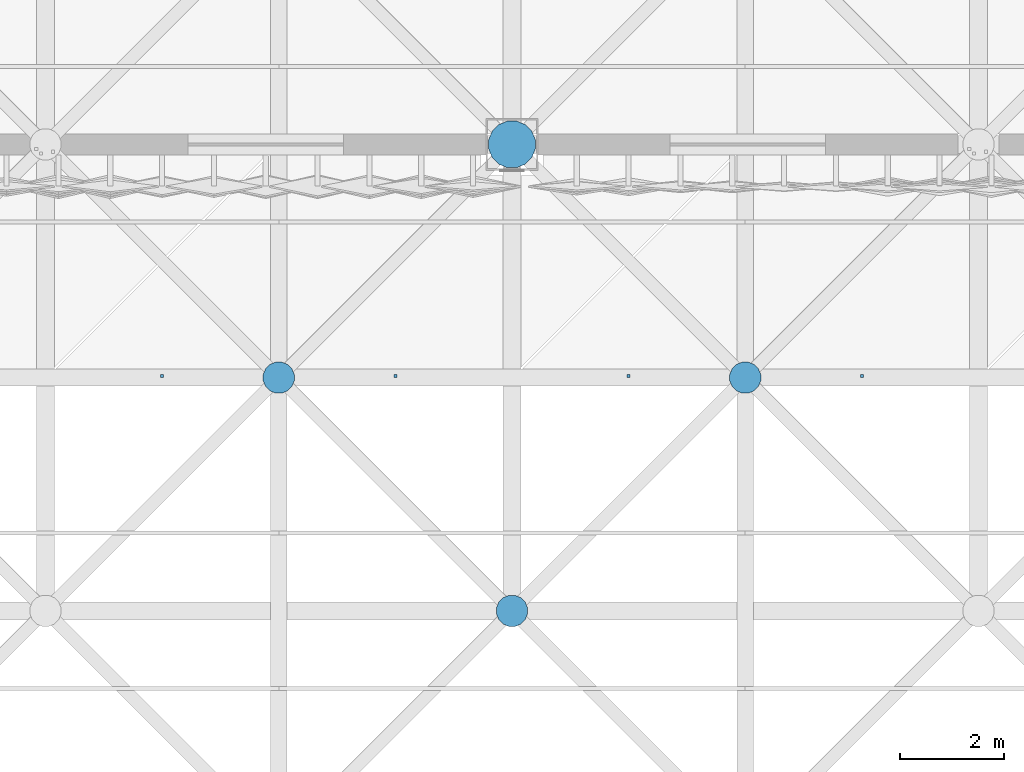
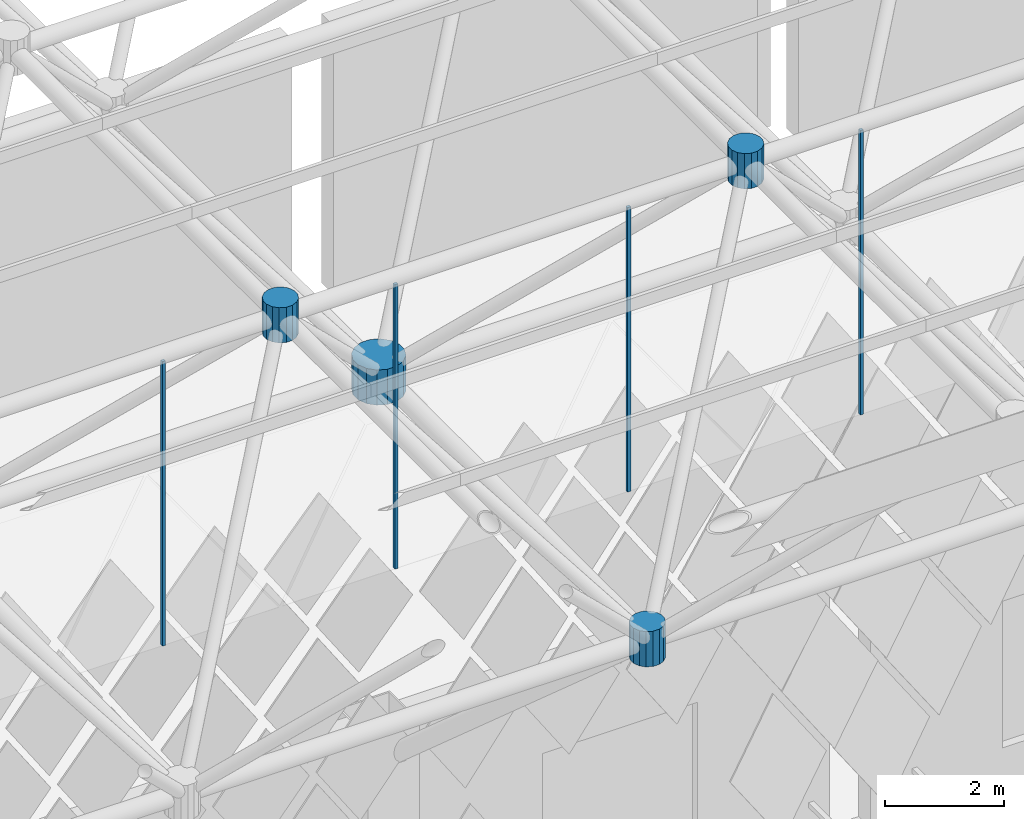
# One storey, part 301 of 437: 8 discrete accessories.
"""IFC4 building model written with IfcOpenShell, lengths in metres."""

import ifcopenshell
import ifcopenshell.guid

model = None  # the IFC model being written
_history = None  # IfcOwnerHistory: only IFC2X3 demands one
_inside = {}  # id of a spatial element -> (the spatial element, [elements in it])
_under = {}  # id of a project, library or spatial element -> (it, [spatial elements below it])
_declared = {}  # id of a project -> (the project, [libraries it declares])
_typed = {}  # id of a type object -> (the type object, [elements of that type])
_made_of = {}  # id of a material, layer set ... -> (it, [elements and type objects made of it])


def new_model(schema):
    """Start an empty IFC model of exactly this schema.

    Asked for "IFC4X3", IfcOpenShell would pick the latest addendum, in which some entities
    have other attributes; the version numbers below select the first issue.
    IFC2X3 requires an IfcOwnerHistory on every rooted entity: one is made here for all.
    """
    global model, _history
    if schema == "IFC4X3":
        model = ifcopenshell.file(schema_version=(4, 3, 0, 0))
    else:
        model = ifcopenshell.file(schema=schema)
    _inside.clear()
    _under.clear()
    _declared.clear()
    _typed.clear()
    _made_of.clear()
    _history = None
    if model.schema == "IFC2X3":
        org = make("IfcOrganization", Name="unknown")
        user = make(
            "IfcPersonAndOrganization",
            ThePerson=make("IfcPerson", FamilyName="unknown"),
            TheOrganization=org,
        )
        app = make(
            "IfcApplication",
            ApplicationDeveloper=org,
            Version="unknown",
            ApplicationFullName="unknown",
            ApplicationIdentifier="unknown",
        )
        _history = make(
            "IfcOwnerHistory",
            OwningUser=user,
            OwningApplication=app,
            ChangeAction="ADDED",
            CreationDate=0,
        )
    return model


def make(cls, **values):
    """One entity of the class cls with the attributes given. An attribute that is None is left unset."""
    return model.create_entity(
        cls, **{name: value for name, value in values.items() if value is not None}
    )


def rooted(cls, **values):
    """An entity with a GlobalId (a new one), such as an element, a storey or a relation."""
    return make(cls, GlobalId=ifcopenshell.guid.new(), OwnerHistory=_history, **values)


def si_unit(unit_type, name, prefix=None):
    """IfcSIUnit, for example si_unit("LENGTHUNIT", "METRE", prefix="MILLI")."""
    return make("IfcSIUnit", UnitType=unit_type, Prefix=prefix, Name=name)


def assignment(units):
    """IfcUnitAssignment: the units of a project."""
    return None if units is None else make("IfcUnitAssignment", Units=units)


def point(xyz):
    """IfcCartesianPoint."""
    return None if xyz is None else make("IfcCartesianPoint", Coordinates=xyz)


def direction(xyz):
    """IfcDirection."""
    return None if xyz is None else make("IfcDirection", DirectionRatios=xyz)


def frame(location, z_axis=None, x_axis=None):
    """IfcAxis2Placement3D, a coordinate frame: its origin and axes. An axis left out is left unset."""
    return make(
        "IfcAxis2Placement3D",
        Location=point(location),
        Axis=direction(z_axis),
        RefDirection=direction(x_axis),
    )


def origin():
    """The frame at (0, 0, 0) with its axes left unset."""
    return frame((0.0, 0.0, 0.0))


def place(relative_to, where):
    """IfcLocalPlacement: puts the frame where relative to a parent placement (None: the world)."""
    return make(
        "IfcLocalPlacement", PlacementRelTo=relative_to, RelativePlacement=where
    )


def context(
    kind, dimensions, precision=None, world=None, true_north=None, identifier=None
):
    """IfcGeometricRepresentationContext, for example the 3D "Model" context."""
    return make(
        "IfcGeometricRepresentationContext",
        ContextIdentifier=identifier,
        ContextType=kind,
        CoordinateSpaceDimension=dimensions,
        Precision=precision,
        WorldCoordinateSystem=world,
        TrueNorth=true_north,
    )


def subcontext(parent, identifier, kind, view, scale=None):
    """IfcGeometricRepresentationSubContext, for example "Body" below "Model"."""
    return make(
        "IfcGeometricRepresentationSubContext",
        ContextIdentifier=identifier,
        ContextType=kind,
        ParentContext=parent,
        TargetScale=scale,
        TargetView=view,
    )


def project(units=None, contexts=None):
    """IfcProject with its units and contexts."""
    return rooted(
        "IfcProject",
        Name="project",
        RepresentationContexts=contexts,
        UnitsInContext=assignment(units),
    )


def spatial(cls, under=None, at=None, **own):
    """A site, building, storey or space (cls), placed at a placement, below another one or the project."""
    s = rooted(cls, ObjectPlacement=at, **own)
    if under is not None:
        _under.setdefault(under.id(), (under, []))[1].append(s)
    return s


def polyline(points):
    """IfcPolyline through the points."""
    return make("IfcPolyline", Points=[point(p) for p in points])


def outline(outer, holes=None, kind="AREA"):
    """IfcArbitraryClosedProfileDef: a profile drawn as a closed curve; with holes, ...WithVoids."""
    if holes is None:
        return make("IfcArbitraryClosedProfileDef", ProfileType=kind, OuterCurve=outer)
    return make(
        "IfcArbitraryProfileDefWithVoids",
        ProfileType=kind,
        OuterCurve=outer,
        InnerCurves=holes,
    )


def extrude(swept, where, along, depth):
    """IfcExtrudedAreaSolid: the profile swept, set in the frame where, extruded along a direction by depth."""
    return make(
        "IfcExtrudedAreaSolid",
        SweptArea=swept,
        Position=where,
        ExtrudedDirection=direction(along),
        Depth=depth,
    )


def shape(context_of_items, identifier, shape_type, items):
    """IfcShapeRepresentation: the items that make up one representation, for example the "Body"."""
    return make(
        "IfcShapeRepresentation",
        ContextOfItems=context_of_items,
        RepresentationIdentifier=identifier,
        RepresentationType=shape_type,
        Items=items,
    )


def material(Name=None, Category=None):
    """IfcMaterial."""
    return make("IfcMaterial", Name=Name, Category=Category)


def made_of(thing, what):
    """Note that an element or type object is made of a material, layer set ...; save() writes the relation."""
    if what is not None:
        _made_of.setdefault(what.id(), (what, []))[1].append(thing)
    return thing


def type_object(cls, material=None, **own):
    """A type object (cls), such as IfcWallType, which elements share."""
    return made_of(rooted(cls, **own), material)


def element(
    cls,
    number,
    at=None,
    inside=None,
    cuts=None,
    type_object=None,
    material=None,
    context=None,
    identifier="Body",
    shape_type=None,
    held_by="IfcProductDefinitionShape",
    body=None,
    shapes=None,
    **own,
):
    """One element of the class cls, such as IfcWall. Its Tag is "e" and its number.

    at: its placement. inside: the storey or other place that contains it. cuts: it is an
    opening in that element (IfcRelVoidsElement). A single representation is given by context,
    identifier, shape_type and body (its items); several are given by shapes. held_by: the class
    of the entity that holds the representations. save() writes the other relations.
    """
    e = rooted(cls, Tag="e%d" % number, ObjectPlacement=at, **own)
    if body is not None:
        shapes = [shape(context, identifier, shape_type, body)]
    if shapes is not None:
        e.Representation = make(held_by, Representations=shapes)
    if inside is not None:
        _inside.setdefault(inside.id(), (inside, []))[1].append(e)
    if cuts is not None:
        rooted(
            "IfcRelVoidsElement", RelatingBuildingElement=cuts, RelatedOpeningElement=e
        )
    if type_object is not None:
        _typed.setdefault(type_object.id(), (type_object, []))[1].append(e)
    return made_of(e, material)


def aggregate(whole, parts):
    """IfcRelAggregates: a whole, such as a stair, and the parts it consists of."""
    return rooted("IfcRelAggregates", RelatingObject=whole, RelatedObjects=parts)


def save(model, path):
    """Write the relations noted so far, then the file.

    IfcRelAggregates (storeys below a building ...), IfcRelContainedInSpatialStructure (elements
    in a storey), IfcRelDefinesByType, IfcRelAssociatesMaterial and IfcRelDeclares: one each for
    every whole, place, type object, material and project.
    """
    for whole, parts in _under.values():
        aggregate(whole, parts)
    for where, things in _inside.values():
        rooted(
            "IfcRelContainedInSpatialStructure",
            RelatedElements=things,
            RelatingStructure=where,
        )
    for kind, things in _typed.values():
        rooted("IfcRelDefinesByType", RelatedObjects=things, RelatingType=kind)
    for what, things in _made_of.values():
        rooted("IfcRelAssociatesMaterial", RelatedObjects=things, RelatingMaterial=what)
    for by, libraries in _declared.values():
        rooted("IfcRelDeclares", RelatingContext=by, RelatedDefinitions=libraries)
    model.write(path)


model = new_model("IFC4")

# Units and contexts
model_context = context("Model", 3, precision=1e-05, world=origin(), true_north=direction((0.0, 1.0)))
body_context = subcontext(model_context, "Body", "Model", "MODEL_VIEW")
ifc_project = project(units=[si_unit("LENGTHUNIT", "METRE"), si_unit("AREAUNIT", "SQUARE_METRE"), si_unit("VOLUMEUNIT", "CUBIC_METRE"), si_unit("PLANEANGLEUNIT", "RADIAN"), si_unit("MASSUNIT", "GRAM", prefix="KILO")], contexts=[model_context])

# Site, building, storey
site_placement = place(None, origin())
site = spatial("IfcSite", under=ifc_project, at=site_placement, CompositionType="ELEMENT")
building_placement = place(site_placement, origin())
building = spatial("IfcBuilding", under=site, at=building_placement, Name="Opaline Strait Convention Centre", CompositionType="ELEMENT")
storey_placement = place(building_placement, frame((0.0, 0.0, 11.5)))
storey = spatial("IfcBuildingStorey", under=building, at=storey_placement, Name="L02", CompositionType="ELEMENT", Elevation=11.5)

# Discrete accessories
ifc_material_1 = material(Name="Steel Q355B", Category="steel")
discrete_accessory_type_1 = type_object("IfcDiscreteAccessoryType", Name="Soffit hanger 60x60 steel", PredefinedType="BRACKET", material=ifc_material_1)
discrete_accessory_1_placement = place(storey_placement, frame((0.0, 0.0, 11.989990234375)))
element("IfcDiscreteAccessory", 1, at=discrete_accessory_1_placement, inside=storey, type_object=discrete_accessory_type_1, Name="Soffit hanger", PredefinedType="BRACKET", context=body_context, shape_type="SweptSolid", body=[
    extrude(outline(polyline([(182.219970703125, 49.5048828125), (182.280029296875, 49.5048828125), (182.280029296875, 49.56494140625), (182.219970703125, 49.56494140625), (182.219970703125, 49.5048828125)])), origin(), (0.0, 0.0, 1.0), 5.819091796875),
])
discrete_accessory_2_placement = place(storey_placement, frame((0.0, 0.0, 11.989990234375)))
element("IfcDiscreteAccessory", 2, at=discrete_accessory_2_placement, inside=storey, type_object=discrete_accessory_type_1, Name="Soffit hanger", PredefinedType="BRACKET", context=body_context, shape_type="SweptSolid", body=[
    extrude(outline(polyline([(186.719970703125, 49.5048828125), (186.780029296875, 49.5048828125), (186.780029296875, 49.56494140625), (186.719970703125, 49.56494140625), (186.719970703125, 49.5048828125)])), origin(), (0.0, 0.0, 1.0), 5.819091796875),
])
discrete_accessory_3_placement = place(storey_placement, frame((0.0, 0.0, 11.989990234375)))
element("IfcDiscreteAccessory", 3, at=discrete_accessory_3_placement, inside=storey, type_object=discrete_accessory_type_1, Name="Soffit hanger", PredefinedType="BRACKET", context=body_context, shape_type="SweptSolid", body=[
    extrude(outline(polyline([(191.219970703125, 49.5048828125), (191.280029296875, 49.5048828125), (191.280029296875, 49.56494140625), (191.219970703125, 49.56494140625), (191.219970703125, 49.5048828125)])), origin(), (0.0, 0.0, 1.0), 5.819091796875),
])
discrete_accessory_4_placement = place(storey_placement, frame((0.0, 0.0, 11.989990234375)))
element("IfcDiscreteAccessory", 4, at=discrete_accessory_4_placement, inside=storey, type_object=discrete_accessory_type_1, Name="Soffit hanger", PredefinedType="BRACKET", context=body_context, shape_type="SweptSolid", body=[
    extrude(outline(polyline([(195.719970703125, 49.5048828125), (195.780029296875, 49.5048828125), (195.780029296875, 49.56494140625), (195.719970703125, 49.56494140625), (195.719970703125, 49.5048828125)])), origin(), (0.0, 0.0, 1.0), 5.819091796875),
])
ifc_material_2 = material(Name="Cast steel ZG300-500H (300 MPa)", Category="steel")
discrete_accessory_type_2 = type_object("IfcDiscreteAccessoryType", Name="Space frame bearing node hub D900", PredefinedType="USERDEFINED", material=ifc_material_2)
discrete_accessory_5_placement = place(storey_placement, frame((0.0, 0.0, 12.139892578125)))
element("IfcDiscreteAccessory", 5, at=discrete_accessory_5_placement, inside=storey, type_object=discrete_accessory_type_2, Name="Bottom node 12/2", ObjectType="NODE HUB", PredefinedType="USERDEFINED", context=body_context, shape_type="SweptSolid", body=[
    extrude(outline(polyline([(189.449951171875, 54.089599609375), (189.381591796875, 54.2548828125), (189.2548828125, 54.381591796875), (189.089599609375, 54.449951171875), (188.910400390625, 54.449951171875), (188.7451171875, 54.381591796875), (188.618408203125, 54.2548828125), (188.550048828125, 54.089599609375), (188.550048828125, 53.910400390625), (188.618408203125, 53.7451171875), (188.7451171875, 53.618408203125), (188.910400390625, 53.550048828125), (189.089599609375, 53.550048828125), (189.2548828125, 53.618408203125), (189.381591796875, 53.7451171875), (189.449951171875, 53.910400390625), (189.449951171875, 54.089599609375)])), origin(), (0.0, 0.0, 1.0), 0.72021484375),
])
discrete_accessory_type_3 = type_object("IfcDiscreteAccessoryType", Name="Space frame node hub D600", PredefinedType="USERDEFINED", material=ifc_material_2)
discrete_accessory_6_placement = place(storey_placement, frame((0.0, 0.0, 17.611572265625)))
element("IfcDiscreteAccessory", 6, at=discrete_accessory_6_placement, inside=storey, type_object=discrete_accessory_type_3, Name="Top node 12/2", ObjectType="NODE HUB", PredefinedType="USERDEFINED", context=body_context, shape_type="SweptSolid", body=[
    extrude(outline(polyline([(184.800048828125, 49.559814453125), (184.75439453125, 49.669921875), (184.669921875, 49.75439453125), (184.559814453125, 49.800048828125), (184.440185546875, 49.800048828125), (184.330078125, 49.75439453125), (184.24560546875, 49.669921875), (184.199951171875, 49.559814453125), (184.199951171875, 49.440185546875), (184.24560546875, 49.330078125), (184.330078125, 49.24560546875), (184.440185546875, 49.199951171875), (184.559814453125, 49.199951171875), (184.669921875, 49.24560546875), (184.75439453125, 49.330078125), (184.800048828125, 49.440185546875), (184.800048828125, 49.559814453125)])), origin(), (0.0, 0.0, 1.0), 0.719970703125),
])
discrete_accessory_7_placement = place(storey_placement, frame((0.0, 0.0, 17.611572265625)))
element("IfcDiscreteAccessory", 7, at=discrete_accessory_7_placement, inside=storey, type_object=discrete_accessory_type_3, Name="Top node 13/2", ObjectType="NODE HUB", PredefinedType="USERDEFINED", context=body_context, shape_type="SweptSolid", body=[
    extrude(outline(polyline([(193.800048828125, 49.559814453125), (193.75439453125, 49.669921875), (193.669921875, 49.75439453125), (193.559814453125, 49.800048828125), (193.440185546875, 49.800048828125), (193.330078125, 49.75439453125), (193.24560546875, 49.669921875), (193.199951171875, 49.559814453125), (193.199951171875, 49.440185546875), (193.24560546875, 49.330078125), (193.330078125, 49.24560546875), (193.440185546875, 49.199951171875), (193.559814453125, 49.199951171875), (193.669921875, 49.24560546875), (193.75439453125, 49.330078125), (193.800048828125, 49.440185546875), (193.800048828125, 49.559814453125)])), origin(), (0.0, 0.0, 1.0), 0.719970703125),
])
discrete_accessory_8_placement = place(storey_placement, frame((0.0, 0.0, 12.139892578125)))
element("IfcDiscreteAccessory", 8, at=discrete_accessory_8_placement, inside=storey, type_object=discrete_accessory_type_3, Name="Bottom node 12/1", ObjectType="NODE HUB", PredefinedType="USERDEFINED", context=body_context, shape_type="SweptSolid", body=[
    extrude(outline(polyline([(189.300048828125, 45.059814453125), (189.25439453125, 45.169921875), (189.169921875, 45.25439453125), (189.059814453125, 45.300048828125), (188.940185546875, 45.300048828125), (188.830078125, 45.25439453125), (188.74560546875, 45.169921875), (188.699951171875, 45.059814453125), (188.699951171875, 44.940185546875), (188.74560546875, 44.830078125), (188.830078125, 44.74560546875), (188.940185546875, 44.699951171875), (189.059814453125, 44.699951171875), (189.169921875, 44.74560546875), (189.25439453125, 44.830078125), (189.300048828125, 44.940185546875), (189.300048828125, 45.059814453125)])), origin(), (0.0, 0.0, 1.0), 0.72021484375),
])

save(model, "model.ifc")
